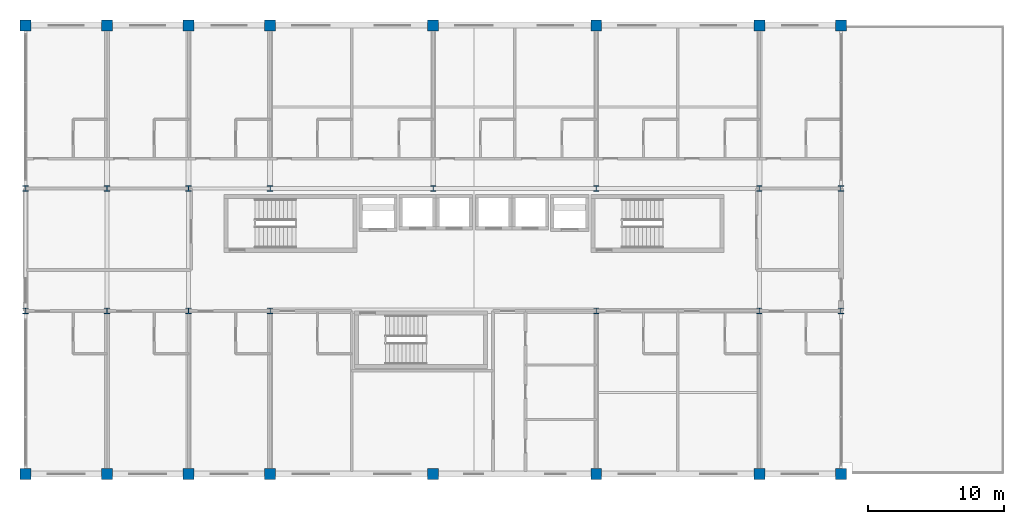
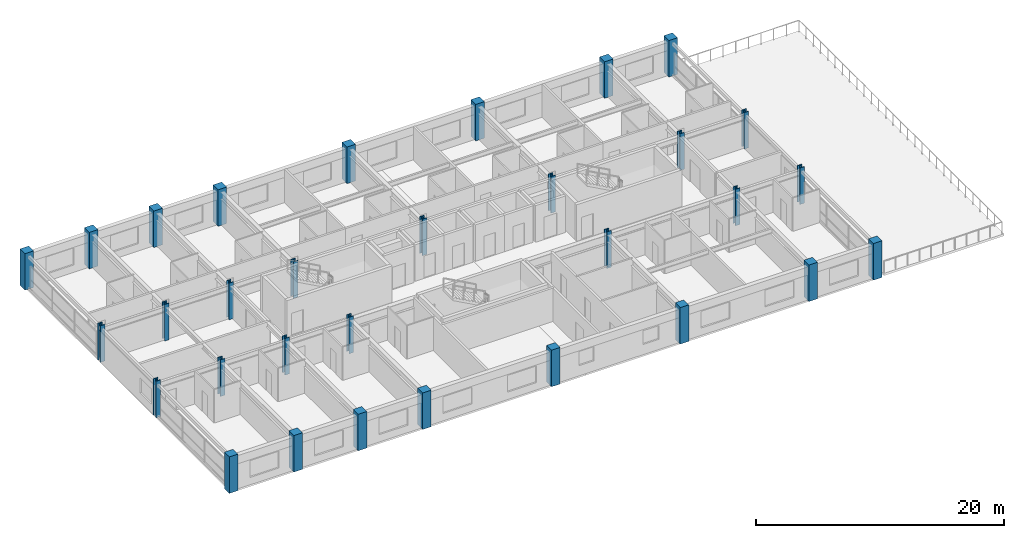
# One storey, part 1 of 27: 31 columns.
"""IFC4 building model written with IfcOpenShell, lengths in metres."""

from ifc_helpers import new_model, si_unit, direction, frame, origin, origin_2d, place, context, subcontext, project, spatial, rectangle, i_section, extrude, material, material_profile, profile_set, type_object, element, save


model = new_model("IFC4")

# Units and contexts
model_context = context("Model", 3, precision=1e-05, world=origin(), true_north=direction((0.0, 1.0)))
body_context = subcontext(model_context, "Body", "Model", "MODEL_VIEW")
ifc_project = project(units=[si_unit("LENGTHUNIT", "METRE"), si_unit("AREAUNIT", "SQUARE_METRE"), si_unit("VOLUMEUNIT", "CUBIC_METRE"), si_unit("PLANEANGLEUNIT", "RADIAN"), si_unit("MASSUNIT", "GRAM", prefix="KILO")], contexts=[model_context])

# Site, building, storey
site_placement = place(None, origin())
site = spatial("IfcSite", under=ifc_project, at=site_placement, CompositionType="ELEMENT")
building_placement = place(site_placement, origin())
building = spatial("IfcBuilding", under=site, at=building_placement, Name="Kaldorvane Square Convention Centre", CompositionType="ELEMENT")
storey_placement = place(building_placement, frame((0.0, 0.0, 38.399993896484375)))
storey = spatial("IfcBuildingStorey", under=building, at=storey_placement, Name="L08", CompositionType="ELEMENT", Elevation=38.399993896484375)

# Columns
ifc_material_1 = material(Name="Concrete f'c = 42 MPa (Normalweight)", Category="concrete")
ifc_material_profile_1 = material_profile(ifc_material_1, rectangle(XDim=0.8000030517578125, YDim=0.8000030517578125, at=origin_2d()), Name="RC800X800")
ifc_profile_set_1 = profile_set([ifc_material_profile_1], Name="Concrete f'c = 42 MPa (Normalweight)")
column_type_1 = type_object("IfcColumnType", Name="COL-RC-800", PredefinedType="COLUMN", material=ifc_profile_set_1)
for number, where, z_axis, x_axis, name in (
    (1, (24.0, 84.0, 0.0), (0.0, 0.0, 1.0), (1.0, 0.0, 0.0), "Column CC-04 (L08)"),
    (2, (24.0, 117.0, 0.0), (0.0, 0.0, 1.0), (1.0, 0.0, 0.0), "Column CC-04 (L08)"),
    (3, (30.0, 84.0, 0.0), (0.0, 0.0, 1.0), (1.0, 0.0, 0.0), "Column CC-04 (L08)"),
    (4, (30.0, 117.0, 0.0), (0.0, 0.0, 1.0), (1.0, 0.0, 0.0), "Column CC-04 (L08)"),
    (5, (36.0, 84.0, 0.0), (0.0, 0.0, 1.0), (1.0, 0.0, 0.0), "Column CC-04 (L08)"),
    (6, (36.0, 117.0, 0.0), (0.0, 0.0, 1.0), (1.0, 0.0, 0.0), "Column CC-04 (L08)"),
    (7, (42.0, 84.0, 0.0), (0.0, 0.0, 1.0), (1.0, 0.0, 0.0), "Column CC-04 (L08)"),
    (8, (42.0, 117.0, 0.0), (0.0, 0.0, 1.0), (1.0, 0.0, 0.0), "Column CC-04 (L08)"),
    (9, (54.0, 84.0, 0.0), (0.0, 0.0, 1.0), (1.0, 0.0, 0.0), "Column CC-04 (L08)"),
    (10, (54.0, 117.0, 0.0), (0.0, 0.0, 1.0), (1.0, 0.0, 0.0), "Column CC-04 (L08)"),
    (11, (66.0, 84.0, 0.0), (0.0, 0.0, 1.0), (1.0, 0.0, 0.0), "Column CC-04 (L08)"),
    (12, (66.0, 117.0, 0.0), (0.0, 0.0, 1.0), (1.0, 0.0, 0.0), "Column CC-04 (L08)"),
    (13, (78.0, 84.0, 0.0), (0.0, 0.0, 1.0), (1.0, 0.0, 0.0), "Column CC-04 (L08)"),
    (14, (78.0, 117.0, 0.0), (0.0, 0.0, 1.0), (1.0, 0.0, 0.0), "Column CC-04 (L08)"),
    (15, (84.0, 84.0, 0.0), (0.0, 0.0, 1.0), (1.0, 0.0, 0.0), "Column CC-04 (L08)"),
    (16, (84.0, 117.0, 0.0), (0.0, 0.0, 1.0), (1.0, 0.0, 0.0), "Column CC-04 (L08)"),
):
    element("IfcColumn", number, at=place(storey_placement, frame(where, z_axis=z_axis, x_axis=x_axis)), inside=storey, type_object=column_type_1, Name=name, PredefinedType="COLUMN", context=body_context, shape_type="SweptSolid", body=[
        extrude(rectangle(XDim=0.8000030517578125, YDim=0.8000030517578125, at=origin_2d()), origin(), (0.0, 0.0, 1.0), 3.600006103515625),
    ])
ifc_material_2 = material(Name="Steel ASTM A992 Gr. 50", Category="steel")
ifc_material_profile_2 = material_profile(ifc_material_2, i_section(OverallWidth=0.4185028076171875, OverallDepth=0.4552001953125, WebThickness=0.0420074462890625, FlangeThickness=0.067596435546875, FilletRadius=0.0305023193359375, at=origin_2d()), Name="W14X370")
ifc_profile_set_2 = profile_set([ifc_material_profile_2], Name="Steel ASTM A992 Gr. 50")
column_type_2 = type_object("IfcColumnType", Name="COL-STL-370", PredefinedType="COLUMN", material=ifc_profile_set_2)
for number, where, z_axis, x_axis, name in (
    (17, (24.0, 96.0, 0.0), (0.0, 0.0, 1.0), (1.0, 0.0, 0.0), "Column SC-05 (L08)"),
    (18, (24.0, 105.0, 0.0), (0.0, 0.0, 1.0), (1.0, 0.0, 0.0), "Column SC-05 (L08)"),
    (19, (30.0, 96.0, 0.0), (0.0, 0.0, 1.0), (1.0, 0.0, 0.0), "Column SC-05 (L08)"),
    (20, (30.0, 105.0, 0.0), (0.0, 0.0, 1.0), (1.0, 0.0, 0.0), "Column SC-05 (L08)"),
    (21, (36.0, 96.0, 0.0), (0.0, 0.0, 1.0), (1.0, 0.0, 0.0), "Column SC-05 (L08)"),
    (22, (36.0, 105.0, 0.0), (0.0, 0.0, 1.0), (1.0, 0.0, 0.0), "Column SC-05 (L08)"),
    (23, (42.0, 96.0, 0.0), (0.0, 0.0, 1.0), (1.0, 0.0, 0.0), "Column SC-05 (L08)"),
    (24, (42.0, 105.0, 0.0), (0.0, 0.0, 1.0), (1.0, 0.0, 0.0), "Column SC-05 (L08)"),
    (25, (54.0, 105.0, 0.0), (0.0, 0.0, 1.0), (1.0, 0.0, 0.0), "Column SC-05 (L08)"),
    (26, (66.0, 96.0, 0.0), (0.0, 0.0, 1.0), (1.0, 0.0, 0.0), "Column SC-05 (L08)"),
    (27, (66.0, 105.0, 0.0), (0.0, 0.0, 1.0), (1.0, 0.0, 0.0), "Column SC-05 (L08)"),
    (28, (78.0, 96.0, 0.0), (0.0, 0.0, 1.0), (1.0, 0.0, 0.0), "Column SC-05 (L08)"),
    (29, (78.0, 105.0, 0.0), (0.0, 0.0, 1.0), (1.0, 0.0, 0.0), "Column SC-05 (L08)"),
    (30, (84.0, 96.0, 0.0), (0.0, 0.0, 1.0), (1.0, 0.0, 0.0), "Column SC-05 (L08)"),
    (31, (84.0, 105.0, 0.0), (0.0, 0.0, 1.0), (1.0, 0.0, 0.0), "Column SC-05 (L08)"),
):
    element("IfcColumn", number, at=place(storey_placement, frame(where, z_axis=z_axis, x_axis=x_axis)), inside=storey, type_object=column_type_2, Name=name, PredefinedType="COLUMN", context=body_context, shape_type="SweptSolid", body=[
        extrude(i_section(OverallWidth=0.4185028076171875, OverallDepth=0.4552001953125, WebThickness=0.0420074462890625, FlangeThickness=0.067596435546875, FilletRadius=0.0305023193359375, at=origin_2d()), origin(), (0.0, 0.0, 1.0), 3.600006103515625),
    ])

save(model, "model.ifc")
